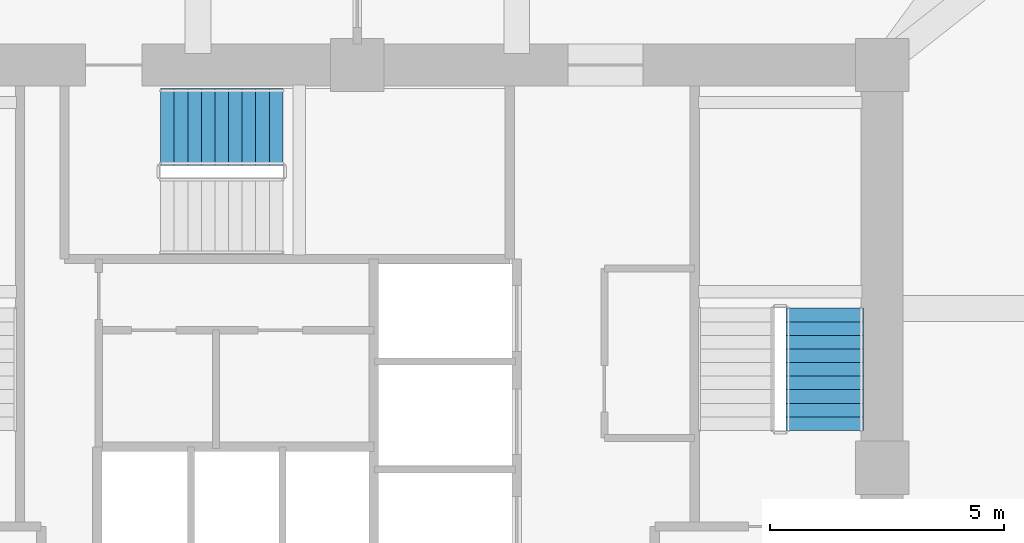
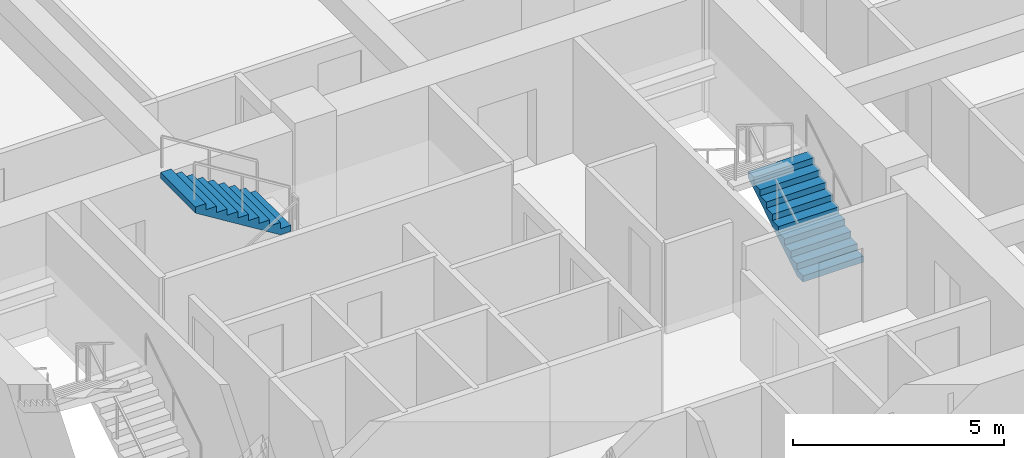
# One storey, part 12 of 14: 2 stair flights, 2 elements without a shape of their own.
"""IFC4 building model written with IfcOpenShell, lengths in metres."""

from ifc_helpers import new_model, si_unit, derived_unit, direction, frame, origin, place, context, subcontext, project, spatial, polyline, outline, extrude, material, type_object, element, aggregate, save


model = new_model("IFC4")

# Units and contexts
model_context = context("Model", 3, precision=1e-05, world=origin(), true_north=direction((0.0, 1.0)))
body_context = subcontext(model_context, "Body", "Model", "MODEL_VIEW")
ifc_project = project(units=[si_unit("LENGTHUNIT", "METRE"), si_unit("AREAUNIT", "SQUARE_METRE"), si_unit("VOLUMEUNIT", "CUBIC_METRE"), si_unit("PLANEANGLEUNIT", "RADIAN"), si_unit("MASSUNIT", "GRAM", prefix="KILO"), derived_unit("THERMALTRANSMITTANCEUNIT", [(si_unit("POWERUNIT", "WATT"), 1), (si_unit("LENGTHUNIT", "METRE"), -2), (si_unit("THERMODYNAMICTEMPERATUREUNIT", "KELVIN"), -1)])], contexts=[model_context])

# Site, building, storey
site_placement = place(None, origin())
site = spatial("IfcSite", under=ifc_project, at=site_placement, CompositionType="ELEMENT")
building_placement = place(site_placement, origin())
building = spatial("IfcBuilding", under=site, at=building_placement, Name="Koralith Skygarden Medical Center", CompositionType="ELEMENT")
storey_placement = place(building_placement, frame((0.0, 0.0, 31.139892578125)))
storey = spatial("IfcBuildingStorey", under=building, at=storey_placement, Name="L07", CompositionType="ELEMENT", Elevation=31.139892578125)

# Stair, stair flight
ifc_material = material(Name="Concrete C45/55", Category="concrete")
stair_type = type_object("IfcStairType", Name="Core Exit Dogleg Concrete Stair", PredefinedType="HALF_TURN_STAIR", material=ifc_material)
stair_1_placement = place(storey_placement, origin())
stair_1 = element("IfcStair", 1, at=stair_1_placement, inside=storey, type_object=stair_type, Name="L07 Smokeproof Exit Stair ST2", PredefinedType="HALF_TURN_STAIR")
stair_flight_type = type_object("IfcStairFlightType", Name="Core Exit Concrete Stair Flight 1650", PredefinedType="STRAIGHT", material=ifc_material)
stair_flight_1_placement = place(storey_placement, frame((46.97509765625, 26.699951171875, 0.0), z_axis=(0.0, 0.0, 1.0), x_axis=(0.0, 1.0, 0.0)))
stair_flight_1 = element("IfcStairFlight", 2, at=stair_flight_1_placement, type_object=stair_flight_type, Name="ST2 flight 1", NumberOfRisers=10, NumberOfTreads=9, PredefinedType="STRAIGHT", RiserHeight=0.18, TreadLength=0.29, context=body_context, shape_type="SweptSolid", body=[
    extrude(outline(polyline([(0.0, 0.0), (0.0, 0.179931640625), (0.2900390625, 0.179931640625), (0.2900390625, 0.360107421875), (0.580078125, 0.360107421875), (0.580078125, 0.5400390625), (0.8701171875, 0.5400390625), (0.8701171875, 0.719970703125), (1.159912109375, 0.719970703125), (1.159912109375, 0.89990234375), (1.449951171875, 0.89990234375), (1.449951171875, 1.080078125), (1.739990234375, 1.080078125), (1.739990234375, 1.260009765625), (2.030029296875, 1.260009765625), (2.030029296875, 1.43994140625), (2.320068359375, 1.43994140625), (2.320068359375, 1.6201171875), (2.610107421875, 1.6201171875), (2.610107421875, 1.800048828125), (2.610107421875, 1.443603515625), (0.2841796875, 0.0), (0.0, 0.0)])), frame((0.0, 0.824951171875, 0.0), z_axis=(0.0, -1.0, 0.0), x_axis=(1.0, 0.0, 0.0)), (0.0, 0.0, 1.0), 1.64990234375),
])
aggregate(stair_1, [stair_flight_1])

stair_2_placement = place(storey_placement, origin())
stair_2 = element("IfcStair", 3, at=stair_2_placement, inside=storey, type_object=stair_type, Name="L07 Smokeproof Exit Stair ST3", PredefinedType="HALF_TURN_STAIR")
stair_flight_2_placement = place(storey_placement, frame((35.409912109375, 33.175048828125, 1.800048828125), z_axis=(0.0, 0.0, 1.0), x_axis=(-1.0, 0.0, 0.0)))
stair_flight_2 = element("IfcStairFlight", 4, at=stair_flight_2_placement, type_object=stair_flight_type, Name="ST3 flight 2", NumberOfRisers=10, NumberOfTreads=9, PredefinedType="STRAIGHT", RiserHeight=0.18, TreadLength=0.29, context=body_context, shape_type="SweptSolid", body=[
    extrude(outline(polyline([(0.0, 0.0), (0.0, 0.179931640625), (0.2900390625, 0.179931640625), (0.2900390625, 0.360107421875), (0.580078125, 0.360107421875), (0.580078125, 0.5400390625), (0.8701171875, 0.5400390625), (0.8701171875, 0.719970703125), (1.159912109375, 0.719970703125), (1.159912109375, 0.89990234375), (1.449951171875, 0.89990234375), (1.449951171875, 1.080078125), (1.739990234375, 1.080078125), (1.739990234375, 1.260009765625), (2.030029296875, 1.260009765625), (2.030029296875, 1.43994140625), (2.320068359375, 1.43994140625), (2.320068359375, 1.6201171875), (2.610107421875, 1.6201171875), (2.610107421875, 1.800048828125), (2.610107421875, 1.443603515625), (0.2841796875, 0.0), (0.0, 0.0)])), frame((0.0, 0.824951171875, 0.0), z_axis=(0.0, -1.0, 0.0), x_axis=(1.0, 0.0, 0.0)), (0.0, 0.0, 1.0), 1.64990234375),
])
aggregate(stair_2, [stair_flight_2])

save(model, "model.ifc")
